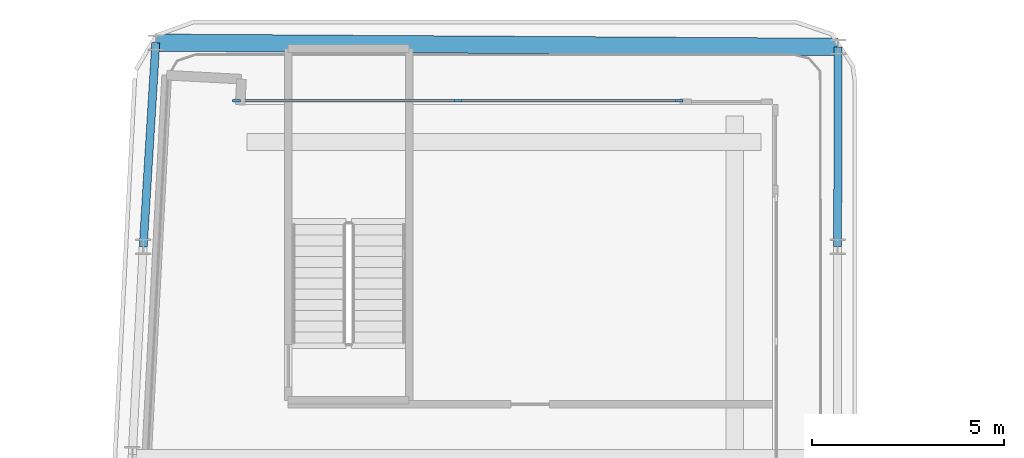
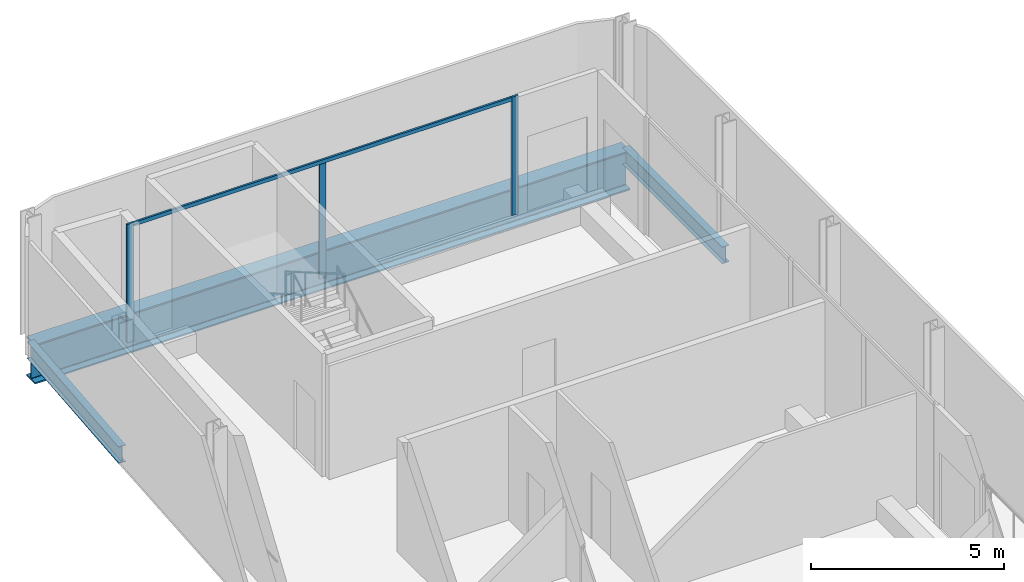
# One storey, part 7 of 21: 4 members, 3 beams, 1 element without a shape of its own.
"""IFC4 building model written with IfcOpenShell, lengths in metres."""

from ifc_helpers import new_model, si_unit, direction, frame, origin, origin_2d, place, context, subcontext, project, spatial, rectangle, i_section, extrude, material, layer, layer_set, material_profile, profile_set, type_object, element, aggregate, save


model = new_model("IFC4")

# Units and contexts
model_context = context("Model", 3, precision=1e-05, world=origin(), true_north=direction((0.0, 1.0)))
body_context = subcontext(model_context, "Body", "Model", "MODEL_VIEW")
ifc_project = project(units=[si_unit("LENGTHUNIT", "METRE"), si_unit("AREAUNIT", "SQUARE_METRE"), si_unit("VOLUMEUNIT", "CUBIC_METRE"), si_unit("PLANEANGLEUNIT", "RADIAN"), si_unit("MASSUNIT", "GRAM", prefix="KILO")], contexts=[model_context])

# Site, building, storey
site_placement = place(None, origin())
site = spatial("IfcSite", under=ifc_project, at=site_placement, CompositionType="ELEMENT")
building_placement = place(site_placement, origin())
building = spatial("IfcBuilding", under=site, at=building_placement, Name="Kheshtan School and Residences Tower", CompositionType="ELEMENT")
storey_placement = place(building_placement, frame((0.0, 0.0, 220.10009765625)))
storey = spatial("IfcBuildingStorey", under=building, at=storey_placement, Name="L51", CompositionType="ELEMENT", Elevation=220.10009765625)

# Beams
ifc_material_1 = material(Name="Steel ASTM A992 Grade 50", Category="steel")
ifc_material_profile_1 = material_profile(ifc_material_1, i_section(OverallWidth=0.208984375, OverallDepth=0.532958984375, WebThickness=0.01025390625, FlangeThickness=0.015625, FilletRadius=0.013916015625, at=origin_2d()), Name="W530x92")
ifc_profile_set_1 = profile_set([ifc_material_profile_1], Name="Steel ASTM A992 Grade 50")
beam_type_1 = type_object("IfcBeamType", Name="Beam SP3 W530x92 ASTM A992 Grade 50", PredefinedType="BEAM", material=ifc_profile_set_1)
beam_1_placement = place(storey_placement, frame((47.611083984375, 88.60009765625, -0.41650390625), z_axis=(-0.002112671341, -0.999997768307, 0.0), x_axis=(0.999997768307, -0.002112671341, 0.0)))
element("IfcBeam", 1, at=beam_1_placement, inside=storey, type_object=beam_type_1, Name="Spandrel beam C093-C091", PredefinedType="BEAM", context=body_context, shape_type="SweptSolid", body=[
    extrude(i_section(OverallWidth=0.208984375, OverallDepth=0.532958984375, WebThickness=0.01025390625, FlangeThickness=0.015625, FilletRadius=0.013916015625, at=origin_2d()), origin(), (0.0, 0.0, 1.0), 5.2001953125),
])
beam_2_placement = place(storey_placement, frame((29.527099609375, 83.39990234375, -0.41650390625), z_axis=(0.061446885747, 0.998110354736, 0.0), x_axis=(-0.998110354736, 0.061446885747, 0.0)))
element("IfcBeam", 2, at=beam_2_placement, inside=storey, type_object=beam_type_1, Name="Spandrel beam C090-C096", PredefinedType="BEAM", context=body_context, shape_type="SweptSolid", body=[
    extrude(i_section(OverallWidth=0.208984375, OverallDepth=0.532958984375, WebThickness=0.01025390625, FlangeThickness=0.015625, FilletRadius=0.013916015625, at=origin_2d()), origin(), (0.0, 0.0, 1.0), 5.320068359375),
])

# Curtain wall, members
ifc_material_2 = material(Name="Clear low-e glass in thermally broken aluminium frame", Category="aluminium")
ifc_layer = layer(ifc_material_2, 0.199951171875)
ifc_layer_set = layer_set([ifc_layer], Name="Curtain wall CW-L")
curtain_wall_type = type_object("IfcCurtainWallType", Name="Curtain wall CW-L", PredefinedType="NOTDEFINED", material=ifc_layer_set)
curtain_wall_placement = place(storey_placement, origin())
curtain_wall = element("IfcCurtainWall", 3, at=curtain_wall_placement, inside=storey, type_object=curtain_wall_type, Name="Curtain wall CWL3", PredefinedType="NOTDEFINED")
ifc_material_3 = material(Name="Thermally broken aluminium, dark bronze anodised", Category="aluminium")
ifc_material_profile_2 = material_profile(ifc_material_3, rectangle(XDim=0.06005859375, YDim=0.199951171875, at=origin_2d()), Name="CW-L mullion 60x200")
ifc_profile_set_2 = profile_set([ifc_material_profile_2], Name="Thermally broken aluminium, dark bronze anodised")
member_type_1 = type_object("IfcMemberType", Name="CW-L mullion 60x200", PredefinedType="MULLION", material=ifc_profile_set_2)
member_1_placement = place(storey_placement, frame((31.9541015625, 87.199951171875, 0.0), z_axis=(0.0, 0.0, 1.0), x_axis=(0.0, 1.0, 0.0)))
member_1 = element("IfcMember", 4, at=member_1_placement, type_object=member_type_1, Name="CWL3 mullion 1", PredefinedType="MULLION", context=body_context, shape_type="SweptSolid", body=[
    extrude(rectangle(XDim=0.06005859375, YDim=0.199951171875, at=origin_2d()), origin(), (0.0, 0.0, 1.0), 3.75),
])
member_2_placement = place(storey_placement, frame((37.7119140625, 87.199951171875, 0.0), z_axis=(0.0, 0.0, 1.0), x_axis=(0.0, 1.0, 0.0)))
member_2 = element("IfcMember", 5, at=member_2_placement, type_object=member_type_1, Name="CWL3 mullion 2", PredefinedType="MULLION", context=body_context, shape_type="SweptSolid", body=[
    extrude(rectangle(XDim=0.06005859375, YDim=0.199951171875, at=origin_2d()), origin(), (0.0, 0.0, 1.0), 3.6298828125),
])
member_3_placement = place(storey_placement, frame((43.469970703125, 87.199951171875, 0.0), z_axis=(0.0, 0.0, 1.0), x_axis=(0.0, 1.0, 0.0)))
member_3 = element("IfcMember", 6, at=member_3_placement, type_object=member_type_1, Name="CWL3 mullion 3", PredefinedType="MULLION", context=body_context, shape_type="SweptSolid", body=[
    extrude(rectangle(XDim=0.06005859375, YDim=0.199951171875, at=origin_2d()), origin(), (0.0, 0.0, 1.0), 3.75),
])
ifc_material_profile_3 = material_profile(ifc_material_3, rectangle(XDim=0.06005859375, YDim=0.1201171875, at=origin_2d()), Name="CW-L transom 60x120")
ifc_profile_set_3 = profile_set([ifc_material_profile_3], Name="Thermally broken aluminium, dark bronze anodised")
member_type_2 = type_object("IfcMemberType", Name="CW-L transom 60x120", PredefinedType="USERDEFINED", material=ifc_profile_set_3)
member_4_placement = place(storey_placement, frame((31.98388671875, 87.199951171875, 3.68994140625), z_axis=(1.0, 0.0, 0.0), x_axis=(0.0, 1.0, 0.0)))
member_4 = element("IfcMember", 7, at=member_4_placement, type_object=member_type_2, Name="CWL3 transom 1", ObjectType="TRANSOM", PredefinedType="USERDEFINED", context=body_context, shape_type="SweptSolid", body=[
    extrude(rectangle(XDim=0.06005859375, YDim=0.1201171875, at=origin_2d()), origin(), (0.0, 0.0, 1.0), 11.4560546875),
])
aggregate(curtain_wall, [member_1, member_2, member_3, member_4])

# Beam
ifc_material_profile_4 = material_profile(ifc_material_1, i_section(OverallWidth=0.449951171875, OverallDepth=1.25, WebThickness=0.02490234375, FlangeThickness=0.044921875, FilletRadius=0.03759765625, at=origin_2d()), Name="WWF1250x546")
ifc_profile_set_4 = profile_set([ifc_material_profile_4], Name="Steel ASTM A992 Grade 50")
beam_type_2 = type_object("IfcBeamType", Name="Transfer girder TG4 WWF1250x546 ASTM A992 Grade 50", PredefinedType="BEAM", material=ifc_profile_set_4)
beam_3_placement = place(storey_placement, frame((29.85400390625, 88.7099609375, -0.775146484375), z_axis=(0.999980860986, -0.006186894359, 0.0), x_axis=(0.006186894359, 0.999980860986, 0.0)))
element("IfcBeam", 8, at=beam_3_placement, inside=storey, type_object=beam_type_2, Name="Transfer girder C096-C093", PredefinedType="BEAM", context=body_context, shape_type="SweptSolid", body=[
    extrude(i_section(OverallWidth=0.449951171875, OverallDepth=1.25, WebThickness=0.02490234375, FlangeThickness=0.044921875, FilletRadius=0.03759765625, at=origin_2d()), origin(), (0.0, 0.0, 1.0), 17.75732421875),
])

save(model, "model.ifc")
